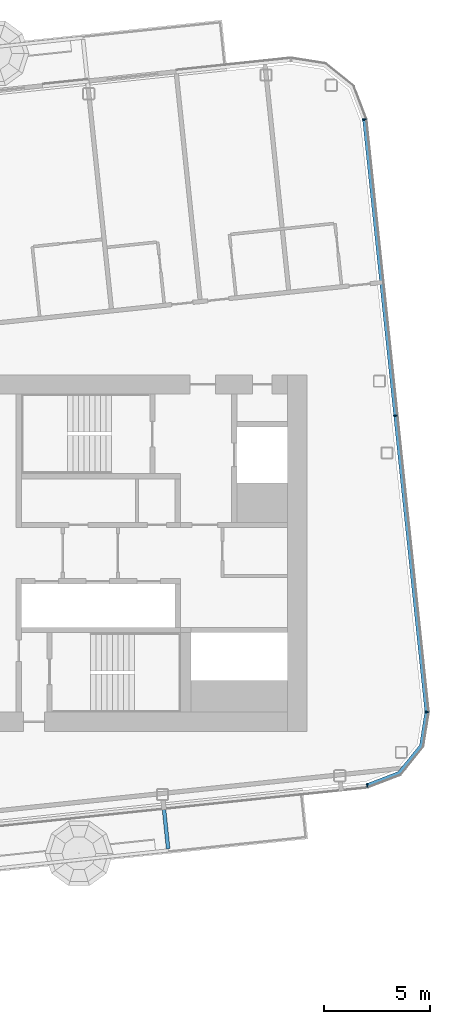
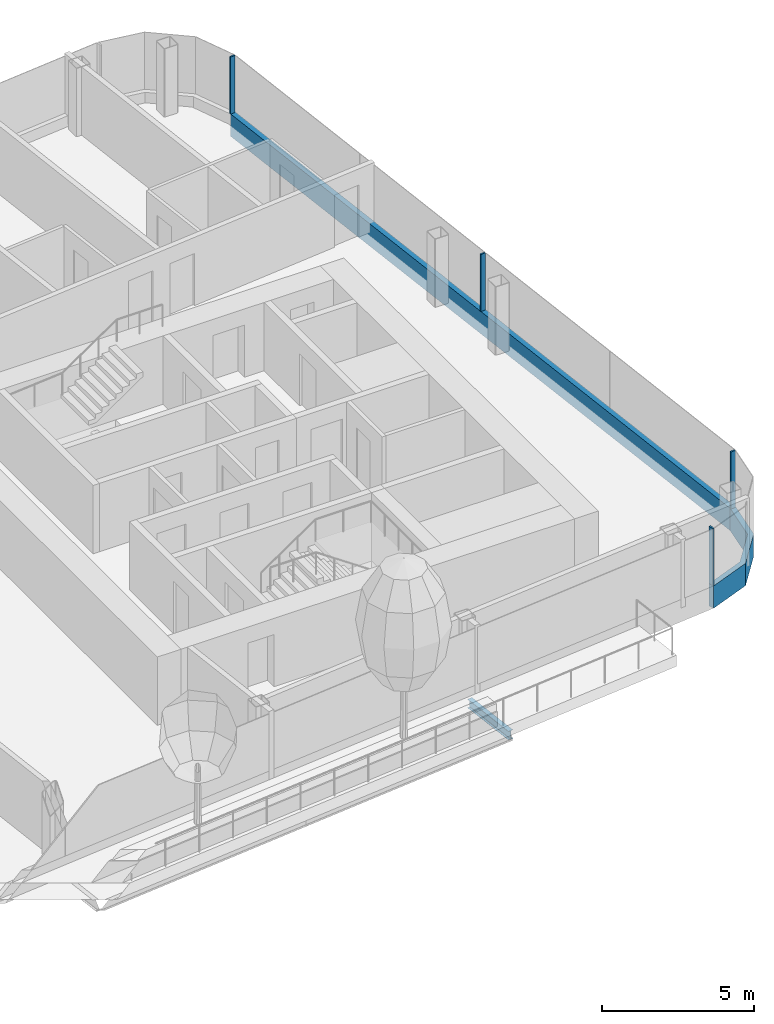
# One storey, part 9 of 29: 6 members, 1 beam, 3 elements without a shape of their own.
"""IFC4 building model written with IfcOpenShell, lengths in metres."""

from ifc_helpers import new_model, si_unit, direction, frame, origin, origin_2d, place, context, subcontext, project, spatial, polyline, rectangle, i_section, outline, extrude, material, layer, layer_set, material_profile, profile_set, type_object, element, aggregate, save


model = new_model("IFC4")

# Units and contexts
model_context = context("Model", 3, precision=1e-05, world=origin(), true_north=direction((0.0, 1.0)))
body_context = subcontext(model_context, "Body", "Model", "MODEL_VIEW")
ifc_project = project(units=[si_unit("LENGTHUNIT", "METRE"), si_unit("AREAUNIT", "SQUARE_METRE"), si_unit("VOLUMEUNIT", "CUBIC_METRE"), si_unit("PLANEANGLEUNIT", "RADIAN"), si_unit("MASSUNIT", "GRAM", prefix="KILO")], contexts=[model_context])

# Site, building, storey
site_placement = place(None, origin())
site = spatial("IfcSite", under=ifc_project, at=site_placement, CompositionType="ELEMENT")
building_placement = place(site_placement, origin())
building = spatial("IfcBuilding", under=site, at=building_placement, Name="Hakoniwa Tower and Hamabe Station Hall", CompositionType="ELEMENT")
storey_placement = place(building_placement, frame((0.0, 0.0, 258.199951171875)))
storey = spatial("IfcBuildingStorey", under=building, at=storey_placement, Name="L73", CompositionType="ELEMENT", Elevation=258.199951171875)

# Beam
ifc_material_1 = material(Name="Steel SN490B", Category="steel")
ifc_material_profile_1 = material_profile(ifc_material_1, i_section(OverallWidth=0.175048828125, OverallDepth=0.35009765625, WebThickness=0.007080078125, FlangeThickness=0.010986328125, FilletRadius=0.013916015625, at=origin_2d()), Name="H-350x175x7x11")
ifc_profile_set_1 = profile_set([ifc_material_profile_1], Name="Steel SN490B")
beam_type = type_object("IfcBeamType", Name="BALCONY BRACKET H-350x175x7x11", PredefinedType="BEAM", material=ifc_profile_set_1)
beam_placement = place(storey_placement, frame((26.825927734375, -11.6484375, -0.625), z_axis=(0.104557694553, -0.994518822602, 0.0), x_axis=(0.994518822602, 0.104557694553, 0.0)))
element("IfcBeam", 1, at=beam_placement, inside=storey, type_object=beam_type, Name="Balcony bracket B5-10-A5", PredefinedType="BEAM", context=body_context, shape_type="SweptSolid", body=[
    extrude(i_section(OverallWidth=0.175048828125, OverallDepth=0.35009765625, WebThickness=0.007080078125, FlangeThickness=0.010986328125, FilletRadius=0.013916015625, at=origin_2d()), origin(), (0.0, 0.0, 1.0), 2.300048828125),
])

# Curtain wall, member
ifc_material_2 = material(Name="Dark low-e laminated glass", Category="glass")
ifc_layer = layer(ifc_material_2, 0.199951171875)
ifc_layer_set = layer_set([ifc_layer], Name="CW-1 UNITISED GUEST")
curtain_wall_type = type_object("IfcCurtainWallType", Name="CW-1 UNITISED GUEST", PredefinedType="NOTDEFINED", material=ifc_layer_set)
curtain_wall_1_placement = place(storey_placement, origin())
curtain_wall_1 = element("IfcCurtainWall", 2, at=curtain_wall_1_placement, inside=storey, type_object=curtain_wall_type, Name="CW-1 curtain wall", PredefinedType="NOTDEFINED")
ifc_material_3 = material(Name="Aluminium 6063-T5 black anodised", Category="aluminium")
ifc_material_profile_2 = material_profile(ifc_material_3, rectangle(XDim=0.199951171875, YDim=0.89990234375, at=origin_2d()), Name="CW SLAB-EDGE BAND 900X200")
ifc_profile_set_2 = profile_set([ifc_material_profile_2], Name="Aluminium 6063-T5 black anodised")
member_type_1 = type_object("IfcMemberType", Name="CW SLAB-EDGE BAND 900X200", PredefinedType="USERDEFINED", material=ifc_profile_set_2)
member_1_placement = place(storey_placement, frame((39.25927734375, -7.490478515625, -0.099853515625), z_axis=(-0.104529086463, 0.994521829868, 0.0), x_axis=(-0.994521829868, -0.104529086463, 0.0)))
member_1 = element("IfcMember", 3, at=member_1_placement, type_object=member_type_1, Name="CW-1 transom", ObjectType="TRANSOM", PredefinedType="USERDEFINED", context=body_context, shape_type="SweptSolid", body=[
    extrude(rectangle(XDim=0.199951171875, YDim=0.89990234375, at=origin_2d()), origin(), (0.0, 0.0, 1.0), 28.078857421875),
])

curtain_wall_2_placement = place(storey_placement, origin())
curtain_wall_2 = element("IfcCurtainWall", 4, at=curtain_wall_2_placement, inside=storey, type_object=curtain_wall_type, Name="CW-1 curtain wall", PredefinedType="NOTDEFINED")
member_2_placement = place(storey_placement, frame((0.0, 0.0, -0.550048828125)))
member_2 = element("IfcMember", 5, at=member_2_placement, type_object=member_type_1, Name="CW-1 transom", ObjectType="TRANSOM", PredefinedType="USERDEFINED", context=body_context, shape_type="SweptSolid", body=[
    extrude(outline(polyline([(36.45703125, -11.0634765625), (38.0185546875, -10.464111328125), (39.09716796875, -9.13232421875), (39.35888671875, -7.47998046875), (39.161376953125, -7.44873046875), (38.907958984375, -9.048095703125), (37.89697265625, -10.296630859375), (36.38525390625, -10.876708984375), (36.45703125, -11.0634765625)])), origin(), (0.0, 0.0, 1.0), 0.900146484375),
])
aggregate(curtain_wall_2, [member_2])

# Member
ifc_material_4 = material(Name="Aluminium 6063-T5 black anodised", Category="aluminium")
ifc_material_profile_3 = material_profile(ifc_material_4, rectangle(XDim=0.06005859375, YDim=0.179931640625, at=origin_2d()), Name="CW-1 MULLION 60X180")
ifc_profile_set_3 = profile_set([ifc_material_profile_3], Name="Aluminium 6063-T5 black anodised")
member_type_2 = type_object("IfcMemberType", Name="CW-1 MULLION 60X180", PredefinedType="MULLION", material=ifc_profile_set_3)
member_3_placement = place(storey_placement, frame((39.241455078125, -7.492431640625, 0.35009765625), z_axis=(0.0, 0.0, 1.0), x_axis=(-0.104528468631, 0.994521894805, 0.0)))
member_3 = element("IfcMember", 6, at=member_3_placement, type_object=member_type_2, Name="CW-1 mullion", PredefinedType="MULLION", context=body_context, shape_type="SweptSolid", body=[
    extrude(rectangle(XDim=0.06005859375, YDim=0.179931640625, at=origin_2d()), origin(), (0.0, 0.0, 1.0), 2.300048828125),
])

member_4_placement = place(storey_placement, frame((37.77392578125, 6.47021484375, 0.35009765625), z_axis=(0.0, 0.0, 1.0), x_axis=(-0.104528468631, 0.994521894805, 0.0)))
member_4 = element("IfcMember", 7, at=member_4_placement, type_object=member_type_2, Name="CW-1 mullion", PredefinedType="MULLION", context=body_context, shape_type="SweptSolid", body=[
    extrude(rectangle(XDim=0.06005859375, YDim=0.179931640625, at=origin_2d()), origin(), (0.0, 0.0, 1.0), 2.300048828125),
])

member_5_placement = place(storey_placement, frame((36.306396484375, 20.432861328125, 0.35009765625), z_axis=(0.0, 0.0, 1.0), x_axis=(-0.104528468631, 0.994521894805, 0.0)))
member_5 = element("IfcMember", 8, at=member_5_placement, type_object=member_type_2, Name="CW-1 mullion", PredefinedType="MULLION", context=body_context, shape_type="SweptSolid", body=[
    extrude(rectangle(XDim=0.06005859375, YDim=0.179931640625, at=origin_2d()), origin(), (0.0, 0.0, 1.0), 2.300048828125),
])

aggregate(curtain_wall_1, [member_3, member_4, member_5, member_1])

# Curtain wall, member
curtain_wall_3_placement = place(storey_placement, origin())
curtain_wall_3 = element("IfcCurtainWall", 9, at=curtain_wall_3_placement, inside=storey, type_object=curtain_wall_type, Name="CW-1 curtain wall", PredefinedType="NOTDEFINED")
member_6_placement = place(storey_placement, frame((36.444580078125, -10.946044921875, 0.35009765625), z_axis=(0.0, 0.0, 1.0), x_axis=(0.994521895272, 0.104528464188, 0.0)))
member_6 = element("IfcMember", 10, at=member_6_placement, type_object=member_type_2, Name="CW-1 mullion", PredefinedType="MULLION", context=body_context, shape_type="SweptSolid", body=[
    extrude(rectangle(XDim=0.06005859375, YDim=0.179931640625, at=origin_2d()), origin(), (0.0, 0.0, 1.0), 2.300048828125),
])
aggregate(curtain_wall_3, [member_6])

save(model, "model.ifc")
